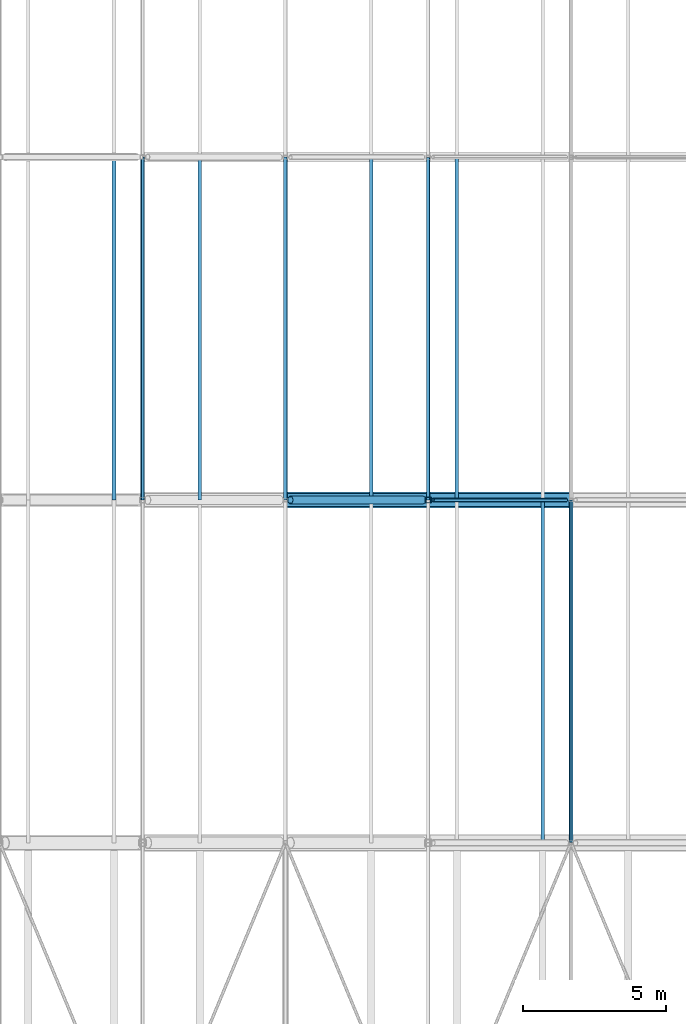
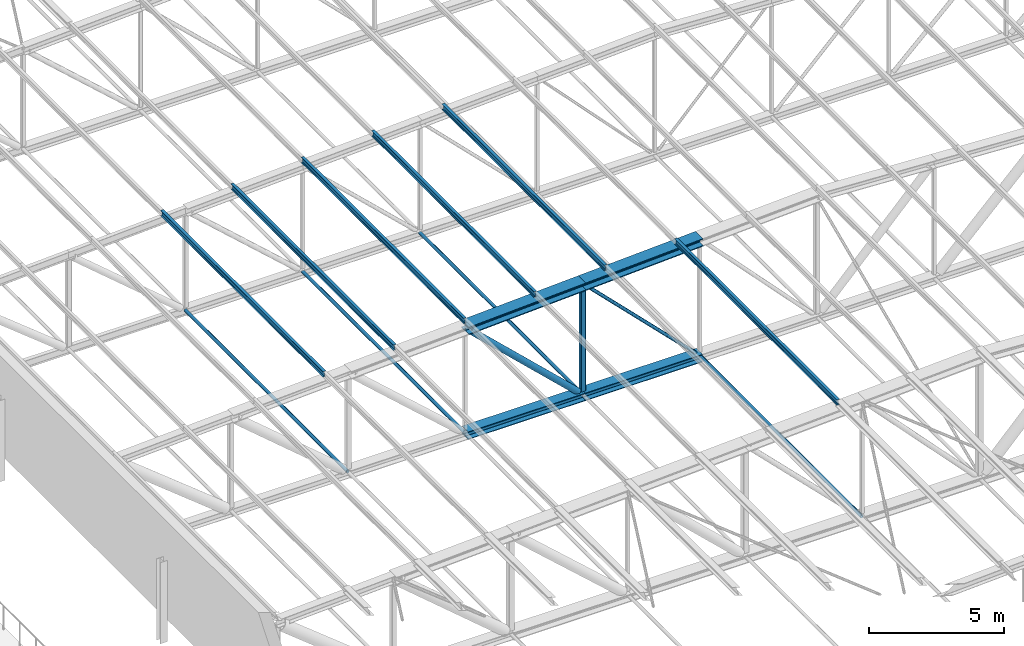
# One storey, part 74 of 156: 17 members.
"""IFC4 building model written with IfcOpenShell, lengths in metres."""

from ifc_helpers import new_model, si_unit, direction, frame, origin, origin_2d, place, context, subcontext, project, spatial, hollow_rectangle, hollow_circle, i_section, extrude, material, material_profile, profile_set, type_object, element, save


model = new_model("IFC4")

# Units and contexts
model_context = context("Model", 3, precision=1e-05, world=origin(), true_north=direction((0.0, 1.0)))
body_context = subcontext(model_context, "Body", "Model", "MODEL_VIEW")
ifc_project = project(units=[si_unit("LENGTHUNIT", "METRE"), si_unit("AREAUNIT", "SQUARE_METRE"), si_unit("VOLUMEUNIT", "CUBIC_METRE"), si_unit("PLANEANGLEUNIT", "RADIAN"), si_unit("MASSUNIT", "GRAM", prefix="KILO")], contexts=[model_context])

# Site, building, storey
site_placement = place(None, origin())
site = spatial("IfcSite", under=ifc_project, at=site_placement, CompositionType="ELEMENT")
building_placement = place(site_placement, origin())
building = spatial("IfcBuilding", under=site, at=building_placement, Name="Lilac Gate Convention Centre", CompositionType="ELEMENT")
storey_placement = place(building_placement, frame((0.0, 0.0, 17.0)))
storey = spatial("IfcBuildingStorey", under=building, at=storey_placement, Name="L03", CompositionType="ELEMENT", Elevation=17.0)

# Members
ifc_material = material(Name="Steel Q355B", Category="steel")
ifc_material_profile_1 = material_profile(ifc_material, hollow_circle(Radius=0.06982421875, WallThickness=0.0048828125, at=origin_2d()), Name="CHS139.7x5")
ifc_profile_set_1 = profile_set([ifc_material_profile_1], Name="Steel Q355B")
member_type_1 = type_object("IfcMemberType", Name="Bottom chord tie CHS139.7x5", PredefinedType="STRUT", material=ifc_profile_set_1)
member_1_placement = place(storey_placement, frame((55.0, 138.010009765625, 0.0), z_axis=(0.0, 1.0, 0.0), x_axis=(-1.0, 0.0, 0.0)))
element("IfcMember", 1, at=member_1_placement, inside=storey, type_object=member_type_1, Name="ST1 tie bay 10 node 6", PredefinedType="STRUT", context=body_context, shape_type="SweptSolid", body=[
    extrude(hollow_circle(Radius=0.06982421875, WallThickness=0.0048828125, at=origin_2d()), origin(), (0.0, 0.0, 1.0), 11.98193359375),
])
member_2_placement = place(storey_placement, frame((40.0, 150.008056640625, 0.0), z_axis=(0.0, 1.0, 0.0), x_axis=(-1.0, 0.0, 0.0)))
element("IfcMember", 2, at=member_2_placement, inside=storey, type_object=member_type_1, Name="ST1 tie bay 11 node 3", PredefinedType="STRUT", context=body_context, shape_type="SweptSolid", body=[
    extrude(hollow_circle(Radius=0.06982421875, WallThickness=0.0048828125, at=origin_2d()), origin(), (0.0, 0.0, 1.0), 11.988525390625),
])
for number, where, z_axis, x_axis, name in (
    (3, (45.0, 150.008056640625, 0.0), (0.0, 1.0, 0.0), (-1.0, 0.0, 0.0), "ST1 tie bay 11 node 4"),
    (4, (50.0, 150.008056640625, 0.0), (0.0, 1.0, 0.0), (-1.0, 0.0, 0.0), "ST1 tie bay 11 node 5"),
):
    element("IfcMember", number, at=place(storey_placement, frame(where, z_axis=z_axis, x_axis=x_axis)), inside=storey, type_object=member_type_1, Name=name, PredefinedType="STRUT", context=body_context, shape_type="SweptSolid", body=[
        extrude(hollow_circle(Radius=0.06982421875, WallThickness=0.0048828125, at=origin_2d()), origin(), (0.0, 0.0, 1.0), 11.98583984375),
    ])
ifc_material_profile_2 = material_profile(ifc_material, i_section(OverallWidth=0.125, OverallDepth=0.25, WebThickness=0.006103515625, FlangeThickness=0.009033203125, FilletRadius=0.008056640625, at=origin_2d()), Name="HN250x125x6x9")
ifc_profile_set_2 = profile_set([ifc_material_profile_2], Name="Steel Q355B")
member_type_2 = type_object("IfcMemberType", Name="Roof purlin HN250x125x6x9", PredefinedType="PURLIN", material=ifc_profile_set_2)
for number, where, z_axis, x_axis, name in (
    (5, (54.0, 138.0, 5.500244140625), (0.0, 1.0, 0.0), (-1.0, 0.0, 0.0), "PU2 purlin bay 10 line 9"),
    (6, (39.0, 150.0, 4.750244140625), (0.0, 1.0, 0.0), (-1.0, 0.0, 0.0), "PU2 purlin bay 11 line 4"),
    (7, (42.0, 150.0, 4.900146484375), (0.0, 1.0, 0.0), (-1.0, 0.0, 0.0), "PU2 purlin bay 11 line 5"),
    (8, (45.0, 150.0, 5.05029296875), (0.0, 1.0, 0.0), (-1.0, 0.0, 0.0), "PU2 purlin bay 11 line 6"),
    (9, (48.0, 150.0, 5.2001953125), (0.0, 1.0, 0.0), (-1.0, 0.0, 0.0), "PU2 purlin bay 11 line 7"),
    (10, (51.0, 150.0, 5.35009765625), (0.0, 1.0, 0.0), (-1.0, 0.0, 0.0), "PU2 purlin bay 11 line 8"),
):
    element("IfcMember", number, at=place(storey_placement, frame(where, z_axis=z_axis, x_axis=x_axis)), inside=storey, type_object=member_type_2, Name=name, PredefinedType="PURLIN", context=body_context, shape_type="SweptSolid", body=[
        extrude(i_section(OverallWidth=0.125, OverallDepth=0.25, WebThickness=0.006103515625, FlangeThickness=0.009033203125, FilletRadius=0.008056640625, at=origin_2d()), origin(), (0.0, 0.0, 1.0), 12.0),
    ])
ifc_material_profile_3 = material_profile(ifc_material, i_section(OverallWidth=0.449951171875, OverallDepth=0.35009765625, WebThickness=0.01611328125, FlangeThickness=0.028076171875, FilletRadius=0.008056640625, at=origin_2d()), Name="WH350x450x16x28")
ifc_profile_set_3 = profile_set([ifc_material_profile_3], Name="Steel Q355B")
member_type_3 = type_object("IfcMemberType", Name="Truss bottom chord WH350x450x16x28", PredefinedType="CHORD", material=ifc_profile_set_3)
for number, where, z_axis, x_axis, name in (
    (11, (45.0, 150.0, 0.0), (1.0, 0.0, 0.0), (0.0, 1.0, 0.0), "TB4 truss 11 bottom chord 4"),
    (12, (50.0, 150.0, 0.0), (1.0, 0.0, 0.0), (0.0, 1.0, 0.0), "TB4 truss 11 bottom chord 5"),
):
    element("IfcMember", number, at=place(storey_placement, frame(where, z_axis=z_axis, x_axis=x_axis)), inside=storey, type_object=member_type_3, Name=name, PredefinedType="CHORD", context=body_context, shape_type="SweptSolid", body=[
        extrude(i_section(OverallWidth=0.449951171875, OverallDepth=0.35009765625, WebThickness=0.01611328125, FlangeThickness=0.028076171875, FilletRadius=0.008056640625, at=origin_2d()), origin(), (0.0, 0.0, 1.0), 5.0),
    ])
ifc_material_profile_4 = material_profile(ifc_material, hollow_circle(Radius=0.06982421875, WallThickness=0.006103515625, at=origin_2d()), Name="CHS139.7x6")
ifc_profile_set_4 = profile_set([ifc_material_profile_4], Name="Steel Q355B")
member_type_4 = type_object("IfcMemberType", Name="Truss diagonal CHS139.7x6", PredefinedType="BRACE", material=ifc_profile_set_4)
member_3_placement = place(storey_placement, frame((50.164306640625, 150.0, 4.835693359375), z_axis=(0.707106781187, 0.0, -0.707106781187), x_axis=(0.0, 1.0, 0.0)))
element("IfcMember", 13, at=member_3_placement, inside=storey, type_object=member_type_4, Name="TW5 truss 11 diagonal 5", PredefinedType="BRACE", context=body_context, shape_type="SweptSolid", body=[
    extrude(hollow_circle(Radius=0.06982421875, WallThickness=0.006103515625, at=origin_2d()), origin(), (0.0, 0.0, 1.0), 6.591064453125),
])
ifc_material_profile_5 = material_profile(ifc_material, hollow_circle(Radius=0.136474609375, WallThickness=0.010009765625, at=origin_2d()), Name="CHS273x10")
ifc_profile_set_5 = profile_set([ifc_material_profile_5], Name="Steel Q355B")
member_type_5 = type_object("IfcMemberType", Name="Truss diagonal CHS273x10", PredefinedType="BRACE", material=ifc_profile_set_5)
member_4_placement = place(storey_placement, frame((45.1728515625, 150.0, 4.585693359375), z_axis=(0.725020373275, 0.0, -0.688727419475), x_axis=(0.0, 1.0, 0.0)))
element("IfcMember", 14, at=member_4_placement, inside=storey, type_object=member_type_5, Name="TW2 truss 11 diagonal 4", PredefinedType="BRACE", context=body_context, shape_type="SweptSolid", body=[
    extrude(hollow_circle(Radius=0.136474609375, WallThickness=0.010009765625, at=origin_2d()), origin(), (0.0, 0.0, 1.0), 6.404052734375),
])
ifc_material_profile_6 = material_profile(ifc_material, i_section(OverallWidth=0.550048828125, OverallDepth=0.35009765625, WebThickness=0.02001953125, FlangeThickness=0.0400390625, FilletRadius=0.008056640625, at=origin_2d()), Name="WH350x550x20x40")
ifc_profile_set_6 = profile_set([ifc_material_profile_6], Name="Steel Q355B")
member_type_6 = type_object("IfcMemberType", Name="Truss top chord WH350x550x20x40", PredefinedType="CHORD", material=ifc_profile_set_6)
for number, where, z_axis, x_axis, name in (
    (15, (45.0, 150.0, 4.75), (0.998752338878, 0.0, 0.049937616944), (0.0, 1.0, 0.0), "TT4 truss 11 top chord 4"),
    (16, (50.0, 150.0, 5.0), (0.998752338878, 0.0, 0.049937616944), (0.0, 1.0, 0.0), "TT4 truss 11 top chord 5"),
):
    element("IfcMember", number, at=place(storey_placement, frame(where, z_axis=z_axis, x_axis=x_axis)), inside=storey, type_object=member_type_6, Name=name, PredefinedType="CHORD", context=body_context, shape_type="SweptSolid", body=[
        extrude(i_section(OverallWidth=0.550048828125, OverallDepth=0.35009765625, WebThickness=0.02001953125, FlangeThickness=0.0400390625, FilletRadius=0.008056640625, at=origin_2d()), origin(), (0.0, 0.0, 1.0), 5.00634765625),
    ])
ifc_material_profile_7 = material_profile(ifc_material, hollow_rectangle(XDim=0.199951171875, YDim=0.199951171875, WallThickness=0.008056640625, InnerFilletRadius=0.011962890625, OuterFilletRadius=0.02001953125, at=origin_2d()), Name="SHS200x200x8")
ifc_profile_set_7 = profile_set([ifc_material_profile_7], Name="Steel Q355B")
member_type_7 = type_object("IfcMemberType", Name="Truss vertical SHS200x200x8", PredefinedType="STRUT", material=ifc_profile_set_7)
member_5_placement = place(storey_placement, frame((50.0, 150.0, 0.175048828125), z_axis=(0.0, 0.0, 1.0), x_axis=(1.0, 0.0, 0.0)))
element("IfcMember", 17, at=member_5_placement, inside=storey, type_object=member_type_7, Name="TV2 truss 11 vertical 5", PredefinedType="STRUT", context=body_context, shape_type="SweptSolid", body=[
    extrude(hollow_rectangle(XDim=0.199951171875, YDim=0.199951171875, WallThickness=0.008056640625, InnerFilletRadius=0.011962890625, OuterFilletRadius=0.02001953125, at=origin_2d()), origin(), (0.0, 0.0, 1.0), 4.649658203125),
])

save(model, "model.ifc")
